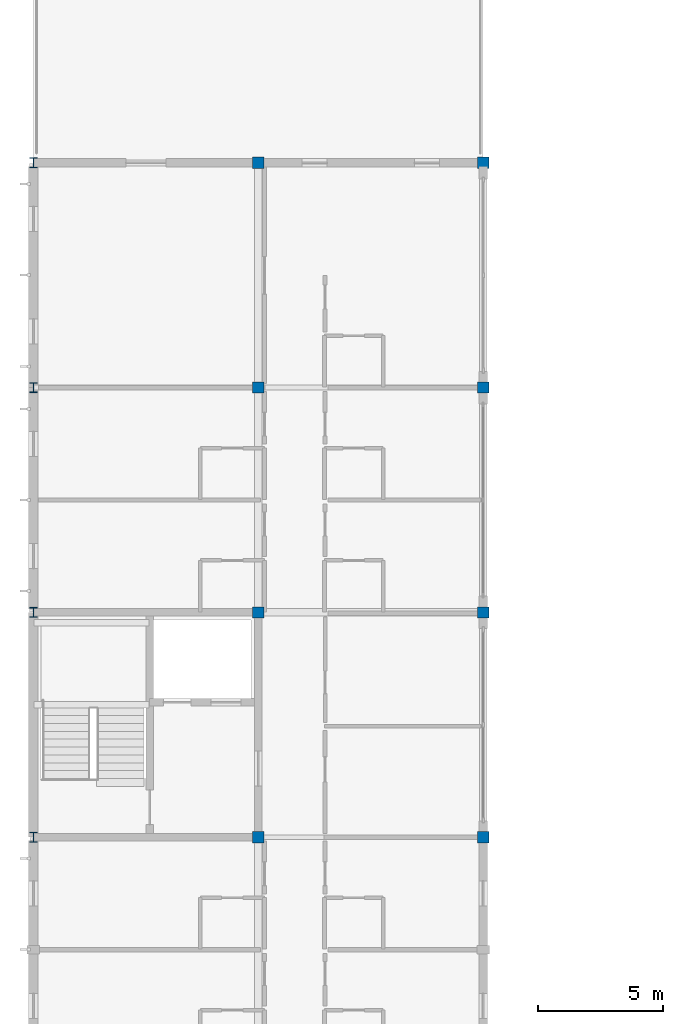
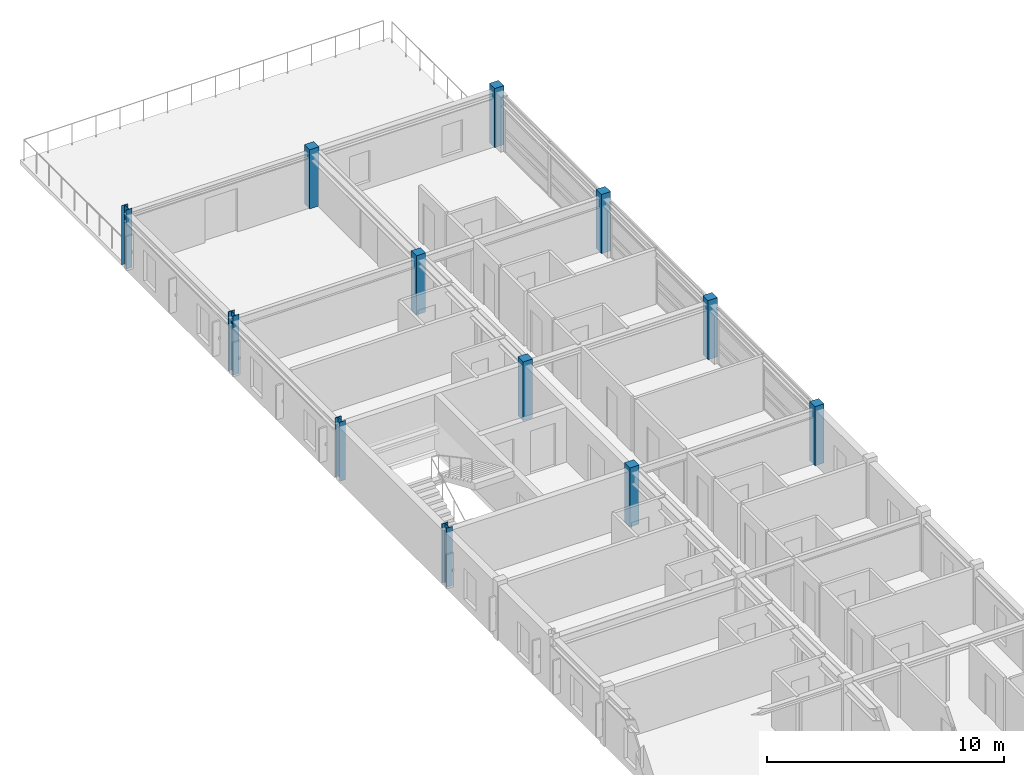
# One storey, part 3 of 20: 12 columns.
"""IFC4 building model written with IfcOpenShell, lengths in metres."""

from ifc_helpers import new_model, si_unit, direction, frame, origin, origin_2d, place, context, subcontext, project, spatial, rectangle, i_section, extrude, material, material_profile, profile_set, type_object, element, save


model = new_model("IFC4")

# Units and contexts
model_context = context("Model", 3, precision=1e-05, world=origin(), true_north=direction((0.0, 1.0)))
body_context = subcontext(model_context, "Body", "Model", "MODEL_VIEW")
ifc_project = project(units=[si_unit("LENGTHUNIT", "METRE"), si_unit("AREAUNIT", "SQUARE_METRE"), si_unit("VOLUMEUNIT", "CUBIC_METRE"), si_unit("PLANEANGLEUNIT", "RADIAN"), si_unit("MASSUNIT", "GRAM", prefix="KILO")], contexts=[model_context])

# Site, building, storey
site_placement = place(None, origin())
site = spatial("IfcSite", under=ifc_project, at=site_placement, CompositionType="ELEMENT")
building_placement = place(site_placement, origin())
building = spatial("IfcBuilding", under=site, at=building_placement, Name="Palais des Congres Ocreval", CompositionType="ELEMENT")
storey_placement = place(building_placement, frame((0.0, 0.0, 20.639892578125)))
storey = spatial("IfcBuildingStorey", under=building, at=storey_placement, Name="L06", CompositionType="ELEMENT", Elevation=20.639892578125)

# Columns
ifc_material_1 = material(Name="Steel S355", Category="steel")
ifc_material_profile_1 = material_profile(ifc_material_1, i_section(OverallWidth=0.300048828125, OverallDepth=0.39990234375, WebThickness=0.013427734375, FlangeThickness=0.02392578125, at=origin_2d()), Name="HEB 400")
ifc_profile_set_1 = profile_set([ifc_material_profile_1], Name="Steel S355")
column_type_1 = type_object("IfcColumnType", Name="Column HEB 400 Steel S355", PredefinedType="COLUMN", material=ifc_profile_set_1)
for number, where, z_axis, x_axis, name in (
    (1, (0.0, 36.0, 0.0), (0.0, 0.0, 1.0), (1.0, 0.0, 0.0), "Column C10 L06"),
    (2, (0.0, 45.0, 0.0), (0.0, 0.0, 1.0), (1.0, 0.0, 0.0), "Column C10 L06"),
    (3, (0.0, 54.0, 0.0), (0.0, 0.0, 1.0), (1.0, 0.0, 0.0), "Column C10 L06"),
    (4, (0.0, 63.0, 0.0), (0.0, 0.0, 1.0), (1.0, 0.0, 0.0), "Column C10 L06"),
):
    element("IfcColumn", number, at=place(storey_placement, frame(where, z_axis=z_axis, x_axis=x_axis)), inside=storey, type_object=column_type_1, Name=name, PredefinedType="COLUMN", context=body_context, shape_type="SweptSolid", body=[
        extrude(i_section(OverallWidth=0.300048828125, OverallDepth=0.39990234375, WebThickness=0.013427734375, FlangeThickness=0.02392578125, at=origin_2d()), origin(), (0.0, 0.0, 1.0), 3.0400390625),
    ])
ifc_material_2 = material(Name="Concrete C40/50", Category="concrete")
ifc_material_profile_2 = material_profile(ifc_material_2, rectangle(XDim=0.449951171875, YDim=0.449951171875, at=origin_2d()), Name="RC 450x450")
ifc_profile_set_2 = profile_set([ifc_material_profile_2], Name="Concrete C40/50")
column_type_2 = type_object("IfcColumnType", Name="Column RC 450x450 Concrete C40/50", PredefinedType="COLUMN", material=ifc_profile_set_2)
for number, where, z_axis, x_axis, name in (
    (5, (9.0, 36.0, 0.0), (0.0, 0.0, 1.0), (1.0, 0.0, 0.0), "Column C25 L06"),
    (6, (9.0, 45.0, 0.0), (0.0, 0.0, 1.0), (1.0, 0.0, 0.0), "Column C25 L06"),
    (7, (9.0, 54.0, 0.0), (0.0, 0.0, 1.0), (1.0, 0.0, 0.0), "Column C25 L06"),
    (8, (9.0, 63.0, 0.0), (0.0, 0.0, 1.0), (1.0, 0.0, 0.0), "Column C25 L06"),
    (9, (18.0, 36.0, 0.0), (0.0, 0.0, 1.0), (1.0, 0.0, 0.0), "Column C25 L06"),
    (10, (18.0, 45.0, 0.0), (0.0, 0.0, 1.0), (1.0, 0.0, 0.0), "Column C25 L06"),
    (11, (18.0, 54.0, 0.0), (0.0, 0.0, 1.0), (1.0, 0.0, 0.0), "Column C25 L06"),
    (12, (18.0, 63.0, 0.0), (0.0, 0.0, 1.0), (1.0, 0.0, 0.0), "Column C25 L06"),
):
    element("IfcColumn", number, at=place(storey_placement, frame(where, z_axis=z_axis, x_axis=x_axis)), inside=storey, type_object=column_type_2, Name=name, PredefinedType="COLUMN", context=body_context, shape_type="SweptSolid", body=[
        extrude(rectangle(XDim=0.449951171875, YDim=0.449951171875, at=origin_2d()), origin(), (0.0, 0.0, 1.0), 3.0400390625),
    ])

save(model, "model.ifc")
